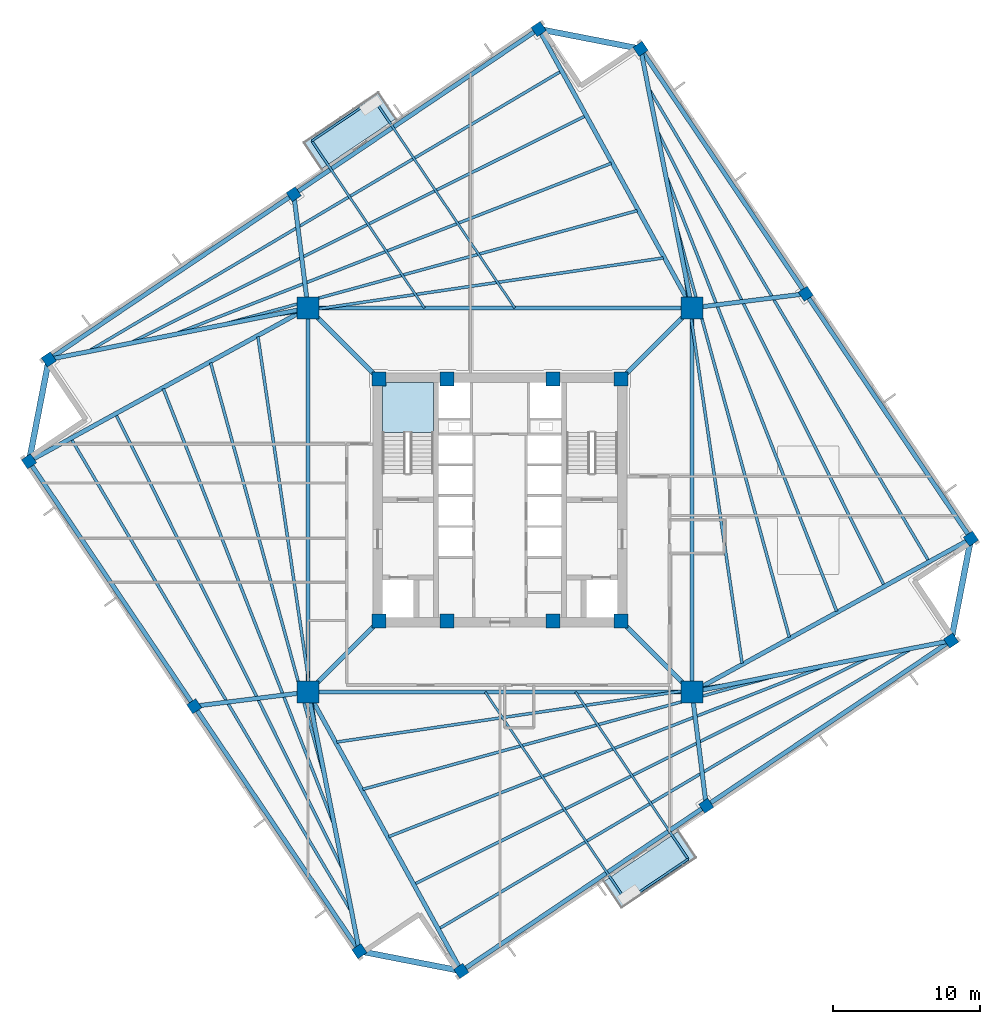
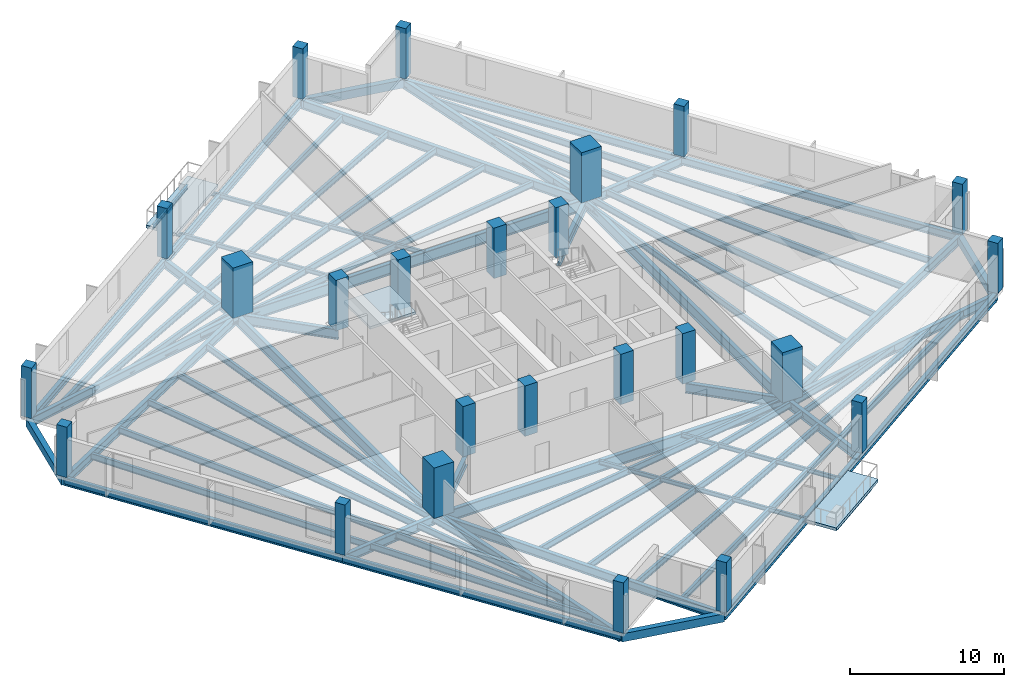
# One storey, part 1 of 8: 58 beams, 24 columns, 3 slabs, 1 element without a shape of its own.
"""IFC4 building model written with IfcOpenShell, lengths in metres."""

from ifc_helpers import new_model, si_unit, direction, frame, origin, origin_2d, place, context, subcontext, project, spatial, polyline, rectangle, i_section, outline, extrude, source, transform, mapped, material, layer, layer_set, material_profile, profile_set, type_object, element, aggregate, save


model = new_model("IFC4")

# Units and contexts
model_context = context("Model", 3, precision=1e-05, world=origin(), true_north=direction((0.0, 1.0)))
body_context = subcontext(model_context, "Body", "Model", "MODEL_VIEW")
ifc_project = project(units=[si_unit("LENGTHUNIT", "METRE"), si_unit("AREAUNIT", "SQUARE_METRE"), si_unit("VOLUMEUNIT", "CUBIC_METRE"), si_unit("PLANEANGLEUNIT", "RADIAN"), si_unit("MASSUNIT", "GRAM", prefix="KILO"), si_unit("THERMODYNAMICTEMPERATUREUNIT", "KELVIN")], contexts=[model_context])

# Site, building, storey
site_placement = place(None, origin())
site = spatial("IfcSite", under=ifc_project, at=site_placement, CompositionType="ELEMENT")
building_placement = place(site_placement, origin())
building = spatial("IfcBuilding", under=site, at=building_placement, Name="Kosmvard Interchange Tower", CompositionType="ELEMENT")
storey_placement = place(building_placement, frame((0.0, 0.0, 188.39990234375)))
storey = spatial("IfcBuildingStorey", under=building, at=storey_placement, Name="L45", CompositionType="ELEMENT", Elevation=188.39990234375)

# Columns
ifc_material_1 = material(Name="Concrete C60/75", Category="concrete")
ifc_material_profile_1 = material_profile(ifc_material_1, rectangle(XDim=0.949951171875, YDim=0.949951171875, at=origin_2d()), Name="CP 950x950")
ifc_profile_set_1 = profile_set([ifc_material_profile_1], Name="Concrete C60/75")
column_type_1 = type_object("IfcColumnType", Name="Core Boundary Pilaster 950x950 C60/75", PredefinedType="PILASTER", material=ifc_profile_set_1)
shared_shape_1 = source(origin(), body_context, "Body", "SweptSolid", [
    extrude(rectangle(XDim=0.949951171875, YDim=0.949951171875, at=origin_2d()), origin(), (0.0, 0.0, 1.0), 4.0),
])
for number, where, z_axis, x_axis, name in (
    (1, (-8.25, -8.25, 0.0), (0.0, 0.0, 1.0), (1.0, 0.0, 0.0), "L45 Core Pilaster CP1"),
    (2, (8.25, -8.25, 0.0), (0.0, 0.0, 1.0), (1.0, 0.0, 0.0), "L45 Core Pilaster CP2"),
    (3, (8.25, 8.25, 0.0), (0.0, 0.0, 1.0), (1.0, 0.0, 0.0), "L45 Core Pilaster CP3"),
    (4, (-8.25, 8.25, 0.0), (0.0, 0.0, 1.0), (1.0, 0.0, 0.0), "L45 Core Pilaster CP4"),
    (5, (-3.60009765625, -8.25, 0.0), (0.0, 0.0, 1.0), (1.0, 0.0, 0.0), "L45 Core Pilaster CP5"),
    (6, (3.60009765625, -8.25, 0.0), (0.0, 0.0, 1.0), (1.0, 0.0, 0.0), "L45 Core Pilaster CP6"),
    (7, (-3.60009765625, 8.25, 0.0), (0.0, 0.0, 1.0), (1.0, 0.0, 0.0), "L45 Core Pilaster CP7"),
    (8, (3.60009765625, 8.25, 0.0), (0.0, 0.0, 1.0), (1.0, 0.0, 0.0), "L45 Core Pilaster CP8"),
):
    element("IfcColumn", number, at=place(storey_placement, frame(where, z_axis=z_axis, x_axis=x_axis)), inside=storey, type_object=column_type_1, Name=name, PredefinedType="PILASTER", context=body_context, shape_type="MappedRepresentation", body=[
        mapped(shared_shape_1, transform((0.0, 0.0, 0.0), scale=1.0)),
    ])
ifc_material_profile_2 = material_profile(ifc_material_1, rectangle(XDim=1.5, YDim=1.5, at=origin_2d()), Name="MC 1500x1500")
ifc_profile_set_2 = profile_set([ifc_material_profile_2], Name="Concrete C60/75")
column_type_2 = type_object("IfcColumnType", Name="Composite Mega-Column 1500x1500 C60/75", PredefinedType="COLUMN", material=ifc_profile_set_2)
shared_shape_2 = source(origin(), body_context, "Body", "SweptSolid", [
    extrude(rectangle(XDim=1.5, YDim=1.5, at=origin_2d()), origin(), (0.0, 0.0, 1.0), 4.0),
])
for number, where, z_axis, x_axis, name in (
    (9, (-13.0810546875, -13.0810546875, 0.0), (0.0, 0.0, 1.0), (1.0, 0.0, 0.0), "L45 Corner Mega-Column MC1"),
    (10, (13.0810546875, -13.0810546875, 0.0), (0.0, 0.0, 1.0), (1.0, 0.0, 0.0), "L45 Corner Mega-Column MC2"),
    (11, (13.0810546875, 13.0810546875, 0.0), (0.0, 0.0, 1.0), (1.0, 0.0, 0.0), "L45 Corner Mega-Column MC3"),
    (12, (-13.0810546875, 13.0810546875, 0.0), (0.0, 0.0, 1.0), (1.0, 0.0, 0.0), "L45 Corner Mega-Column MC4"),
):
    element("IfcColumn", number, at=place(storey_placement, frame(where, z_axis=z_axis, x_axis=x_axis)), inside=storey, type_object=column_type_2, Name=name, PredefinedType="COLUMN", context=body_context, shape_type="MappedRepresentation", body=[
        mapped(shared_shape_2, transform((0.0, 0.0, 0.0), scale=1.0)),
    ])
ifc_material_2 = material(Name="Concrete C50/60", Category="concrete")
ifc_material_profile_3 = material_profile(ifc_material_2, rectangle(XDim=0.75, YDim=0.75, at=origin_2d()), Name="TC 750x750")
ifc_profile_set_3 = profile_set([ifc_material_profile_3], Name="Concrete C50/60")
column_type_3 = type_object("IfcColumnType", Name="Zone 3 Perimeter Pier Column 750x750 C50/60", PredefinedType="COLUMN", material=ifc_profile_set_3)
shared_shape_3 = source(origin(), body_context, "Body", "SweptSolid", [
    extrude(rectangle(XDim=0.75, YDim=0.75, at=origin_2d()), origin(), (0.0, 0.0, 1.0), 4.0),
])
for number, where, z_axis, x_axis, name in (
    (13, (-2.634765625, -32.083251953125, 0.0), (0.0, 0.0, 1.0), (0.829037572555, 0.559192903471, 0.0), "L45 Perimeter Pier Column TC-S1"),
    (14, (14.0498046875, -20.82958984375, 0.0), (0.0, 0.0, 1.0), (0.829037572555, 0.559192903471, 0.0), "L45 Perimeter Pier Column TC-S2"),
    (15, (30.734130859375, -9.575927734375, 0.0), (0.0, 0.0, 1.0), (0.829037572555, 0.559192903471, 0.0), "L45 Perimeter Pier Column TC-S3"),
    (16, (32.083251953125, -2.634765625, 0.0), (0.0, 0.0, 1.0), (0.829037572555, 0.559192903471, 0.0), "L45 Perimeter Pier Column TC-E1"),
    (17, (20.82958984375, 14.0498046875, 0.0), (0.0, 0.0, 1.0), (0.829037572555, 0.559192903471, 0.0), "L45 Perimeter Pier Column TC-E2"),
    (18, (9.575927734375, 30.734130859375, 0.0), (0.0, 0.0, 1.0), (0.829037572555, 0.559192903471, 0.0), "L45 Perimeter Pier Column TC-E3"),
    (19, (2.634765625, 32.083251953125, 0.0), (0.0, 0.0, 1.0), (0.829037572555, 0.559192903471, 0.0), "L45 Perimeter Pier Column TC-N1"),
    (20, (-14.0498046875, 20.82958984375, 0.0), (0.0, 0.0, 1.0), (0.829037572555, 0.559192903471, 0.0), "L45 Perimeter Pier Column TC-N2"),
    (21, (-30.734130859375, 9.575927734375, 0.0), (0.0, 0.0, 1.0), (0.829037572555, 0.559192903471, 0.0), "L45 Perimeter Pier Column TC-N3"),
    (22, (-32.083251953125, 2.634765625, 0.0), (0.0, 0.0, 1.0), (0.829037572555, 0.559192903471, 0.0), "L45 Perimeter Pier Column TC-W1"),
    (23, (-20.82958984375, -14.0498046875, 0.0), (0.0, 0.0, 1.0), (0.829037572555, 0.559192903471, 0.0), "L45 Perimeter Pier Column TC-W2"),
    (24, (-9.575927734375, -30.734130859375, 0.0), (0.0, 0.0, 1.0), (0.829037572555, 0.559192903471, 0.0), "L45 Perimeter Pier Column TC-W3"),
):
    element("IfcColumn", number, at=place(storey_placement, frame(where, z_axis=z_axis, x_axis=x_axis)), inside=storey, type_object=column_type_3, Name=name, PredefinedType="COLUMN", context=body_context, shape_type="MappedRepresentation", body=[
        mapped(shared_shape_3, transform((0.0, 0.0, 0.0), scale=1.0)),
    ])

# Beams
ifc_material_3 = material(Name="Steel S355", Category="steel")
ifc_material_profile_4 = material_profile(ifc_material_3, i_section(OverallWidth=0.14990234375, OverallDepth=0.300048828125, WebThickness=0.007080078125, FlangeThickness=0.0107421875, FilletRadius=0.014892578125, at=origin_2d()), Name="IPE 300")
ifc_profile_set_4 = profile_set([ifc_material_profile_4], Name="Steel S355")
beam_type_1 = type_object("IfcBeamType", Name="Balcony Edge Header Joist IPE 300 S355", PredefinedType="JOIST", material=ifc_profile_set_4)
shared_shape_4 = source(origin(), body_context, "Body", "SweptSolid", [
    extrude(i_section(OverallWidth=0.14990234375, OverallDepth=0.300048828125, WebThickness=0.007080078125, FlangeThickness=0.0107421875, FilletRadius=0.014892578125, at=origin_2d()), origin(), (0.0, 0.0, 1.0), 5.099853515625),
])
for number, where, z_axis, x_axis, name in (
    (25, (-8.59326171875, 27.314453125, -0.409912109375), (-0.82904064614, -0.559188346666, 0.0), (0.559188346666, -0.82904064614, 0.0), "BM-L45-BJH1"),
    (26, (8.59326171875, -27.314453125, -0.409912109375), (0.82904064614, 0.559188346666, 0.0), (-0.559188346666, 0.82904064614, 0.0), "BM-L45-BJH2"),
):
    element("IfcBeam", number, at=place(storey_placement, frame(where, z_axis=z_axis, x_axis=x_axis)), inside=storey, type_object=beam_type_1, Name=name, PredefinedType="JOIST", context=body_context, shape_type="MappedRepresentation", body=[
        mapped(shared_shape_4, transform((0.0, 0.0, 0.0), scale=1.0)),
    ])
ifc_material_profile_5 = material_profile(ifc_material_3, i_section(OverallWidth=0.300048828125, OverallDepth=0.800048828125, WebThickness=0.017578125, FlangeThickness=0.032958984375, FilletRadius=0.027099609375, at=origin_2d()), Name="HEB 800")
ifc_profile_set_5 = profile_set([ifc_material_profile_5], Name="Steel S355")
beam_type_2 = type_object("IfcBeamType", Name="Primary Mega-Frame Girder HEB 800 S355", PredefinedType="BEAM", material=ifc_profile_set_5)
shared_shape_5 = source(origin(), body_context, "Body", "SweptSolid", [
    extrude(i_section(OverallWidth=0.300048828125, OverallDepth=0.800048828125, WebThickness=0.017578125, FlangeThickness=0.032958984375, FilletRadius=0.027099609375, at=origin_2d()), origin(), (0.0, 0.0, 1.0), 6.83203125),
])
for number, where, z_axis, x_axis, name in (
    (27, (-8.25, -8.25, -0.659912109375), (-0.707106781187, -0.707106781187, 0.0), (0.707106781187, -0.707106781187, 0.0), "L45 Radial Mega-Frame Girder 1"),
    (28, (8.25, -8.25, -0.659912109375), (0.707106781187, -0.707106781187, 0.0), (0.707106781187, 0.707106781187, 0.0), "L45 Radial Mega-Frame Girder 2"),
    (29, (8.25, 8.25, -0.659912109375), (0.707106781187, 0.707106781187, 0.0), (-0.707106781187, 0.707106781187, 0.0), "L45 Radial Mega-Frame Girder 3"),
    (30, (-8.25, 8.25, -0.659912109375), (-0.707106781187, 0.707106781187, 0.0), (-0.707106781187, -0.707106781187, 0.0), "L45 Radial Mega-Frame Girder 4"),
):
    element("IfcBeam", number, at=place(storey_placement, frame(where, z_axis=z_axis, x_axis=x_axis)), inside=storey, type_object=beam_type_2, Name=name, PredefinedType="BEAM", context=body_context, shape_type="MappedRepresentation", body=[
        mapped(shared_shape_5, transform((0.0, 0.0, 0.0), scale=1.0)),
    ])
ifc_material_profile_6 = material_profile(ifc_material_3, i_section(OverallWidth=0.300048828125, OverallDepth=0.89990234375, WebThickness=0.0185546875, FlangeThickness=0.034912109375, FilletRadius=0.030029296875, at=origin_2d()), Name="HEB 900")
ifc_profile_set_6 = profile_set([ifc_material_profile_6], Name="Steel S355")
beam_type_3 = type_object("IfcBeamType", Name="Mega-Column Ring Girder HEB 900 S355", PredefinedType="BEAM", material=ifc_profile_set_6)
shared_shape_6 = source(origin(), body_context, "Body", "SweptSolid", [
    extrude(i_section(OverallWidth=0.300048828125, OverallDepth=0.89990234375, WebThickness=0.0185546875, FlangeThickness=0.034912109375, FilletRadius=0.030029296875, at=origin_2d()), origin(), (0.0, 0.0, 1.0), 26.162109375),
])
for number, where, z_axis, x_axis, name in (
    (31, (-13.0810546875, -13.0810546875, -0.7099609375), (1.0, 0.0, 0.0), (0.0, 1.0, 0.0), "L45 Mega-Column Ring Girder 1"),
    (32, (13.0810546875, -13.0810546875, -0.7099609375), (0.0, 1.0, 0.0), (-1.0, 0.0, 0.0), "L45 Mega-Column Ring Girder 2"),
    (33, (13.0810546875, 13.0810546875, -0.7099609375), (-1.0, 0.0, 0.0), (0.0, -1.0, 0.0), "L45 Mega-Column Ring Girder 3"),
    (34, (-13.0810546875, 13.0810546875, -0.7099609375), (0.0, -1.0, 0.0), (1.0, 0.0, 0.0), "L45 Mega-Column Ring Girder 4"),
):
    element("IfcBeam", number, at=place(storey_placement, frame(where, z_axis=z_axis, x_axis=x_axis)), inside=storey, type_object=beam_type_3, Name=name, PredefinedType="BEAM", context=body_context, shape_type="MappedRepresentation", body=[
        mapped(shared_shape_6, transform((0.0, 0.0, 0.0), scale=1.0)),
    ])
ifc_material_profile_7 = material_profile(ifc_material_3, i_section(OverallWidth=0.300048828125, OverallDepth=0.60009765625, WebThickness=0.015380859375, FlangeThickness=0.030029296875, FilletRadius=0.027099609375, at=origin_2d()), Name="HEB 600")
ifc_profile_set_7 = profile_set([ifc_material_profile_7], Name="Steel S355")
beam_type_4 = type_object("IfcBeamType", Name="Perimeter Tie Girder HEB 600 S355", PredefinedType="BEAM", material=ifc_profile_set_7)
shared_shape_7 = source(origin(), body_context, "Body", "SweptSolid", [
    extrude(i_section(OverallWidth=0.300048828125, OverallDepth=0.60009765625, WebThickness=0.015380859375, FlangeThickness=0.030029296875, FilletRadius=0.027099609375, at=origin_2d()), origin(), (0.0, 0.0, 1.0), 20.125),
])
for number, where, z_axis, x_axis, name in (
    (35, (-2.634765625, -32.083251953125, -0.559814453125), (0.82904270175, 0.559185299051, 0.0), (-0.559185299051, 0.82904270175, 0.0), "BM-L45-PR01"),
    (36, (14.0498046875, -20.82958984375, -0.559814453125), (0.829038908426, 0.559190922956, 0.0), (-0.559190922956, 0.829038908426, 0.0), "BM-L45-PR02"),
    (37, (32.083251953125, -2.634765625, -0.559814453125), (-0.559185299051, 0.82904270175, 0.0), (-0.82904270175, -0.559185299051, 0.0), "BM-L45-PR04"),
    (38, (20.82958984375, 14.0498046875, -0.559814453125), (-0.559190922956, 0.829038908426, 0.0), (-0.829038908426, -0.559190922956, 0.0), "BM-L45-PR05"),
    (39, (2.634765625, 32.083251953125, -0.559814453125), (-0.82904270175, -0.559185299051, 0.0), (0.559185299051, -0.82904270175, 0.0), "BM-L45-PR07"),
    (40, (-14.0498046875, 20.82958984375, -0.559814453125), (-0.829038908426, -0.559190922956, 0.0), (0.559190922956, -0.829038908426, 0.0), "BM-L45-PR08"),
    (41, (-32.083251953125, 2.634765625, -0.559814453125), (0.559185299051, -0.82904270175, 0.0), (0.82904270175, 0.559185299051, 0.0), "BM-L45-PR10"),
    (42, (-20.82958984375, -14.0498046875, -0.559814453125), (0.559190922956, -0.829038908426, 0.0), (0.829038908426, 0.559190922956, 0.0), "BM-L45-PR11"),
):
    element("IfcBeam", number, at=place(storey_placement, frame(where, z_axis=z_axis, x_axis=x_axis)), inside=storey, type_object=beam_type_4, Name=name, PredefinedType="BEAM", context=body_context, shape_type="MappedRepresentation", body=[
        mapped(shared_shape_7, transform((0.0, 0.0, 0.0), scale=1.0)),
    ])
ifc_material_profile_8 = material_profile(ifc_material_3, i_section(OverallWidth=0.300048828125, OverallDepth=0.699951171875, WebThickness=0.01708984375, FlangeThickness=0.031982421875, FilletRadius=0.027099609375, at=origin_2d()), Name="HEB 700")
ifc_profile_set_8 = profile_set([ifc_material_profile_8], Name="Steel S355")
beam_type_5 = type_object("IfcBeamType", Name="Primary Floor Girder HEB 700 S355", PredefinedType="BEAM", material=ifc_profile_set_8)
shared_shape_8 = source(origin(), body_context, "Body", "SweptSolid", [
    extrude(i_section(OverallWidth=0.300048828125, OverallDepth=0.699951171875, WebThickness=0.01708984375, FlangeThickness=0.031982421875, FilletRadius=0.027099609375, at=origin_2d()), origin(), (0.0, 0.0, 1.0), 21.684326171875),
])
for number, where, z_axis, x_axis, name in (
    (43, (-13.0810546875, -13.0810546875, -0.60986328125), (0.48174456271, -0.876311689012, 0.0), (0.876311689012, 0.48174456271, 0.0), "BM-L45-RD01"),
    (44, (13.0810546875, -13.0810546875, -0.60986328125), (0.876311689012, 0.48174456271, 0.0), (-0.48174456271, 0.876311689012, 0.0), "BM-L45-RD04"),
    (45, (13.0810546875, 13.0810546875, -0.60986328125), (-0.48174456271, 0.876311689012, 0.0), (-0.876311689012, -0.48174456271, 0.0), "BM-L45-RD07"),
    (46, (-13.0810546875, 13.0810546875, -0.60986328125), (-0.876311689012, -0.48174456271, 0.0), (0.48174456271, -0.876311689012, 0.0), "BM-L45-RD10"),
):
    element("IfcBeam", number, at=place(storey_placement, frame(where, z_axis=z_axis, x_axis=x_axis)), inside=storey, type_object=beam_type_5, Name=name, PredefinedType="BEAM", context=body_context, shape_type="MappedRepresentation", body=[
        mapped(shared_shape_8, transform((0.0, 0.0, 0.0), scale=1.0)),
    ])
shared_shape_9 = source(origin(), body_context, "Body", "SweptSolid", [
    extrude(i_section(OverallWidth=0.300048828125, OverallDepth=0.699951171875, WebThickness=0.01708984375, FlangeThickness=0.031982421875, FilletRadius=0.027099609375, at=origin_2d()), origin(), (0.0, 0.0, 1.0), 7.808837890625),
])
for number, where, z_axis, x_axis, name in (
    (47, (13.0810546875, -13.0810546875, -0.60986328125), (0.12405782224, -0.992274990485, 0.0), (0.992274990485, 0.12405782224, 0.0), "BM-L45-RD02"),
    (48, (13.0810546875, 13.0810546875, -0.60986328125), (0.992274990485, 0.12405782224, 0.0), (-0.12405782224, 0.992274990485, 0.0), "BM-L45-RD05"),
    (49, (-13.0810546875, 13.0810546875, -0.60986328125), (-0.12405782224, 0.992274990485, 0.0), (-0.992274990485, -0.12405782224, 0.0), "BM-L45-RD08"),
    (50, (-13.0810546875, -13.0810546875, -0.60986328125), (-0.992274990485, -0.12405782224, 0.0), (0.12405782224, -0.992274990485, 0.0), "BM-L45-RD11"),
):
    element("IfcBeam", number, at=place(storey_placement, frame(where, z_axis=z_axis, x_axis=x_axis)), inside=storey, type_object=beam_type_5, Name=name, PredefinedType="BEAM", context=body_context, shape_type="MappedRepresentation", body=[
        mapped(shared_shape_9, transform((0.0, 0.0, 0.0), scale=1.0)),
    ])
ifc_material_4 = material(Name="Precast concrete C45/55", Category="concrete")
ifc_material_profile_9 = material_profile(ifc_material_4, rectangle(XDim=0.39990234375, YDim=0.64990234375, at=origin_2d()), Name="SL 400x650")
ifc_profile_set_9 = profile_set([ifc_material_profile_9], Name="Precast concrete C45/55")
beam_type_6 = type_object("IfcBeamType", Name="Precast Spandrel Lintel 400x650 C45/55", PredefinedType="LINTEL", material=ifc_profile_set_9)
shared_shape_10 = source(origin(), body_context, "Body", "SweptSolid", [
    extrude(rectangle(XDim=0.39990234375, YDim=0.64990234375, at=origin_2d()), origin(), (0.0, 0.0, 1.0), 7.071044921875),
])
for number, where, z_axis, x_axis, name in (
    (51, (30.734130859375, -9.575927734375, -0.5849609375), (0.190794803533, 0.981629941956, 0.0), (-0.981629941956, 0.190794803533, 0.0), "BM-L45-SL1"),
    (52, (9.575927734375, 30.734130859375, -0.5849609375), (-0.981629941956, 0.190794803533, 0.0), (-0.190794803533, -0.981629941956, 0.0), "BM-L45-SL2"),
    (53, (-30.734130859375, 9.575927734375, -0.5849609375), (-0.190794803533, -0.981629941956, 0.0), (0.981629941956, -0.190794803533, 0.0), "BM-L45-SL3"),
    (54, (-9.575927734375, -30.734130859375, -0.5849609375), (0.981629941956, -0.190794803533, 0.0), (0.190794803533, 0.981629941956, 0.0), "BM-L45-SL4"),
):
    element("IfcBeam", number, at=place(storey_placement, frame(where, z_axis=z_axis, x_axis=x_axis)), inside=storey, type_object=beam_type_6, Name=name, PredefinedType="LINTEL", context=body_context, shape_type="MappedRepresentation", body=[
        mapped(shared_shape_10, transform((0.0, 0.0, 0.0), scale=1.0)),
    ])
shared_shape_11 = source(origin(), body_context, "Body", "SweptSolid", [
    extrude(i_section(OverallWidth=0.300048828125, OverallDepth=0.699951171875, WebThickness=0.01708984375, FlangeThickness=0.031982421875, FilletRadius=0.027099609375, at=origin_2d()), origin(), (0.0, 0.0, 1.0), 17.997802734375),
])
for number, where, z_axis, x_axis, name in (
    (55, (13.0810546875, -13.0810546875, -0.60986328125), (0.980852075755, 0.194754218148, 0.0), (-0.194754218148, 0.980852075755, 0.0), "BM-L45-RD03"),
    (56, (13.0810546875, 13.0810546875, -0.60986328125), (-0.194754218148, 0.980852075755, 0.0), (-0.980852075755, -0.194754218148, 0.0), "BM-L45-RD06"),
    (57, (-13.0810546875, 13.0810546875, -0.60986328125), (-0.980852075755, -0.194754218148, 0.0), (0.194754218148, -0.980852075755, 0.0), "BM-L45-RD09"),
    (58, (-13.0810546875, -13.0810546875, -0.60986328125), (0.194754218148, -0.980852075755, 0.0), (0.980852075755, 0.194754218148, 0.0), "BM-L45-RD12"),
):
    element("IfcBeam", number, at=place(storey_placement, frame(where, z_axis=z_axis, x_axis=x_axis)), inside=storey, type_object=beam_type_5, Name=name, PredefinedType="BEAM", context=body_context, shape_type="MappedRepresentation", body=[
        mapped(shared_shape_11, transform((0.0, 0.0, 0.0), scale=1.0)),
    ])
ifc_material_profile_10 = material_profile(ifc_material_3, i_section(OverallWidth=0.199951171875, OverallDepth=0.5, WebThickness=0.01025390625, FlangeThickness=0.01611328125, FilletRadius=0.02099609375, at=origin_2d()), Name="IPE 500")
ifc_profile_set_10 = profile_set([ifc_material_profile_10], Name="Steel S355")
beam_type_7 = type_object("IfcBeamType", Name="Standard Floor Joist IPE 500 S355", PredefinedType="JOIST", material=ifc_profile_set_10)
shared_shape_12 = source(origin(), body_context, "Body", "SweptSolid", [
    extrude(i_section(OverallWidth=0.199951171875, OverallDepth=0.5, WebThickness=0.01025390625, FlangeThickness=0.01611328125, FilletRadius=0.02099609375, at=origin_2d()), origin(), (0.0, 0.0, 1.0), 27.5966796875),
])
for number, where, z_axis, x_axis, name in (
    (59, (-11.12158203125, -16.48974609375, -0.510009765625), (0.989290070387, 0.145962860463, 0.0), (-0.145962860463, 0.989290070387, 0.0), "BM-L45-FJ01"),
    (60, (16.48974609375, -11.12158203125, -0.510009765625), (-0.145962860463, 0.989290070387, 0.0), (-0.989290070387, -0.145962860463, 0.0), "BM-L45-FJ06"),
    (61, (11.12158203125, 16.48974609375, -0.510009765625), (-0.989290070387, -0.145962860463, 0.0), (0.145962860463, -0.989290070387, 0.0), "BM-L45-FJ11"),
    (62, (-16.48974609375, 11.12158203125, -0.510009765625), (0.145962860463, -0.989290070387, 0.0), (0.989290070387, 0.145962860463, 0.0), "BM-L45-FJ16"),
):
    element("IfcBeam", number, at=place(storey_placement, frame(where, z_axis=z_axis, x_axis=x_axis)), inside=storey, type_object=beam_type_7, Name=name, PredefinedType="JOIST", context=body_context, shape_type="MappedRepresentation", body=[
        mapped(shared_shape_12, transform((0.0, 0.0, 0.0), scale=1.0)),
    ])
shared_shape_13 = source(origin(), body_context, "Body", "SweptSolid", [
    extrude(i_section(OverallWidth=0.199951171875, OverallDepth=0.5, WebThickness=0.01025390625, FlangeThickness=0.01611328125, FilletRadius=0.02099609375, at=origin_2d()), origin(), (0.0, 0.0, 1.0), 29.58642578125),
])
for number, where, z_axis, x_axis, name in (
    (63, (-9.34765625, -19.710693359375, -0.510009765625), (0.964296527467, 0.264824861209, 0.0), (-0.264824861209, 0.964296527467, 0.0), "BM-L45-FJ02"),
    (64, (19.710693359375, -9.34765625, -0.510009765625), (-0.264824861209, 0.964296527467, 0.0), (-0.964296527467, -0.264824861209, 0.0), "BM-L45-FJ07"),
    (65, (9.34765625, 19.710693359375, -0.510009765625), (-0.964296527467, -0.264824861209, 0.0), (0.264824861209, -0.964296527467, 0.0), "BM-L45-FJ12"),
    (66, (-19.710693359375, 9.34765625, -0.510009765625), (0.264824861209, -0.964296527467, 0.0), (0.964296527467, 0.264824861209, 0.0), "BM-L45-FJ17"),
):
    element("IfcBeam", number, at=place(storey_placement, frame(where, z_axis=z_axis, x_axis=x_axis)), inside=storey, type_object=beam_type_7, Name=name, PredefinedType="JOIST", context=body_context, shape_type="MappedRepresentation", body=[
        mapped(shared_shape_13, transform((0.0, 0.0, 0.0), scale=1.0)),
    ])
shared_shape_14 = source(origin(), body_context, "Body", "SweptSolid", [
    extrude(i_section(OverallWidth=0.199951171875, OverallDepth=0.5, WebThickness=0.01025390625, FlangeThickness=0.01611328125, FilletRadius=0.02099609375, at=origin_2d()), origin(), (0.0, 0.0, 1.0), 31.9580078125),
])
for number, where, z_axis, x_axis, name in (
    (67, (-7.574462890625, -22.93310546875, -0.510009765625), (0.931239172846, 0.364408565976, 0.0), (-0.364408565976, 0.931239172846, 0.0), "BM-L45-FJ03"),
    (68, (22.93310546875, -7.574462890625, -0.510009765625), (-0.364408565976, 0.931239172846, 0.0), (-0.931239172846, -0.364408565976, 0.0), "BM-L45-FJ08"),
    (69, (7.574462890625, 22.93310546875, -0.510009765625), (-0.931239172846, -0.364408565976, 0.0), (0.364408565976, -0.931239172846, 0.0), "BM-L45-FJ13"),
    (70, (-22.93310546875, 7.574462890625, -0.510009765625), (0.364408565976, -0.931239172846, 0.0), (0.931239172846, 0.364408565976, 0.0), "BM-L45-FJ18"),
):
    element("IfcBeam", number, at=place(storey_placement, frame(where, z_axis=z_axis, x_axis=x_axis)), inside=storey, type_object=beam_type_7, Name=name, PredefinedType="JOIST", context=body_context, shape_type="MappedRepresentation", body=[
        mapped(shared_shape_14, transform((0.0, 0.0, 0.0), scale=1.0)),
    ])
shared_shape_15 = source(origin(), body_context, "Body", "SweptSolid", [
    extrude(i_section(OverallWidth=0.199951171875, OverallDepth=0.5, WebThickness=0.01025390625, FlangeThickness=0.01611328125, FilletRadius=0.02099609375, at=origin_2d()), origin(), (0.0, 0.0, 1.0), 34.633056640625),
])
for number, where, z_axis, x_axis, name in (
    (71, (-5.801513671875, -26.156982421875, -0.510009765625), (0.894853974707, 0.446359007921, 0.0), (-0.446359007921, 0.894853974707, 0.0), "BM-L45-FJ04"),
    (72, (26.156982421875, -5.801513671875, -0.510009765625), (-0.446359007921, 0.894853974707, 0.0), (-0.894853974707, -0.446359007921, 0.0), "BM-L45-FJ09"),
    (73, (5.801513671875, 26.156982421875, -0.510009765625), (-0.894853974707, -0.446359007921, 0.0), (0.446359007921, -0.894853974707, 0.0), "BM-L45-FJ14"),
    (74, (-26.156982421875, 5.801513671875, -0.510009765625), (0.446359007921, -0.894853974707, 0.0), (0.894853974707, 0.446359007921, 0.0), "BM-L45-FJ19"),
):
    element("IfcBeam", number, at=place(storey_placement, frame(where, z_axis=z_axis, x_axis=x_axis)), inside=storey, type_object=beam_type_7, Name=name, PredefinedType="JOIST", context=body_context, shape_type="MappedRepresentation", body=[
        mapped(shared_shape_15, transform((0.0, 0.0, 0.0), scale=1.0)),
    ])
shared_shape_16 = source(origin(), body_context, "Body", "SweptSolid", [
    extrude(i_section(OverallWidth=0.199951171875, OverallDepth=0.5, WebThickness=0.01025390625, FlangeThickness=0.01611328125, FilletRadius=0.02099609375, at=origin_2d()), origin(), (0.0, 0.0, 1.0), 37.3701171875),
])
for number, where, z_axis, x_axis, name in (
    (75, (-4.1328125, -29.192138671875, -0.510009765625), (0.860316577026, 0.509760127212, 0.0), (-0.509760127212, 0.860316577026, 0.0), "BM-L45-FJ05"),
    (76, (29.192138671875, -4.1328125, -0.510009765625), (-0.509760127212, 0.860316577026, 0.0), (-0.860316577026, -0.509760127212, 0.0), "BM-L45-FJ10"),
    (77, (4.1328125, 29.192138671875, -0.510009765625), (-0.860316577026, -0.509760127212, 0.0), (0.509760127212, -0.860316577026, 0.0), "BM-L45-FJ15"),
    (78, (-29.192138671875, 4.1328125, -0.510009765625), (0.509760127212, -0.860316577026, 0.0), (0.860316577026, 0.509760127212, 0.0), "BM-L45-FJ20"),
):
    element("IfcBeam", number, at=place(storey_placement, frame(where, z_axis=z_axis, x_axis=x_axis)), inside=storey, type_object=beam_type_7, Name=name, PredefinedType="JOIST", context=body_context, shape_type="MappedRepresentation", body=[
        mapped(shared_shape_16, transform((0.0, 0.0, 0.0), scale=1.0)),
    ])
ifc_material_profile_11 = material_profile(ifc_material_3, i_section(OverallWidth=0.159912109375, OverallDepth=0.330078125, WebThickness=0.007568359375, FlangeThickness=0.011474609375, FilletRadius=0.01806640625, at=origin_2d()), Name="IPE 330")
ifc_profile_set_11 = profile_set([ifc_material_profile_11], Name="Steel S355")
beam_type_8 = type_object("IfcBeamType", Name="Balcony Cantilever Joist IPE 330 S355", PredefinedType="JOIST", material=ifc_profile_set_11)
shared_shape_17 = source(origin(), body_context, "Body", "SweptSolid", [
    extrude(i_section(OverallWidth=0.159912109375, OverallDepth=0.330078125, WebThickness=0.007568359375, FlangeThickness=0.011474609375, FilletRadius=0.01806640625, at=origin_2d()), origin(), (0.0, 0.0, 1.0), 17.168701171875),
])
for number, where, z_axis, x_axis, name in (
    (79, (1.00732421875, 13.0810546875, -0.4248046875), (-0.559194403402, 0.829036560837, 0.0), (-0.829036560837, -0.559194403402, 0.0), "BM-L45-BJ1"),
    (80, (-1.00732421875, -13.0810546875, -0.4248046875), (0.559194403402, -0.829036560837, 0.0), (0.829036560837, 0.559194403402, 0.0), "BM-L45-BJ2"),
):
    element("IfcBeam", number, at=place(storey_placement, frame(where, z_axis=z_axis, x_axis=x_axis)), inside=storey, type_object=beam_type_8, Name=name, PredefinedType="JOIST", context=body_context, shape_type="MappedRepresentation", body=[
        mapped(shared_shape_17, transform((0.0, 0.0, 0.0), scale=1.0)),
    ])
shared_shape_18 = source(origin(), body_context, "Body", "SweptSolid", [
    extrude(i_section(OverallWidth=0.159912109375, OverallDepth=0.330078125, WebThickness=0.007568359375, FlangeThickness=0.011474609375, FilletRadius=0.01806640625, at=origin_2d()), origin(), (0.0, 0.0, 1.0), 13.728759765625),
])
for number, where, z_axis, x_axis, name in (
    (81, (-5.144287109375, 13.0810546875, -0.4248046875), (-0.559193972367, 0.829036851575, 0.0), (-0.829036851575, -0.559193972367, 0.0), "BM-L45-BJB1"),
    (82, (5.144287109375, -13.0810546875, -0.4248046875), (0.559193972367, -0.829036851575, 0.0), (0.829036851575, 0.559193972367, 0.0), "BM-L45-BJB2"),
):
    element("IfcBeam", number, at=place(storey_placement, frame(where, z_axis=z_axis, x_axis=x_axis)), inside=storey, type_object=beam_type_8, Name=name, PredefinedType="JOIST", context=body_context, shape_type="MappedRepresentation", body=[
        mapped(shared_shape_18, transform((0.0, 0.0, 0.0), scale=1.0)),
    ])

# Stair, slab
stair_type = type_object("IfcStairType", Name="Dog-Leg Core Exit Stair H4000 C50/60", PredefinedType="HALF_TURN_STAIR", material=ifc_material_2)
stair_placement = place(storey_placement, origin())
stair = element("IfcStair", 83, at=stair_placement, inside=storey, type_object=stair_type, Name="L45 Protected Exit Stair ST-1", PredefinedType="HALF_TURN_STAIR")
ifc_layer_1 = layer(ifc_material_2, 0.199951171875, Name="Concrete C50/60")
ifc_layer_set_1 = layer_set([ifc_layer_1], Name="Concrete C50/60")
slab_type_1 = type_object("IfcSlabType", Name="Stair Half-Landing Slab 200 C50/60", PredefinedType="LANDING", material=ifc_layer_set_1)
slab_1_placement = place(storey_placement, frame((0.0, 0.0, 1.800048828125)))
slab_1 = element("IfcSlab", 84, at=slab_1_placement, type_object=slab_type_1, Name="ST-1 landing 1", PredefinedType="LANDING", context=body_context, shape_type="SweptSolid", body=[
    extrude(outline(polyline([(-4.5400390625, 4.60009765625), (-4.5400390625, 8.0), (-8.0, 8.0), (-8.0, 4.60009765625), (-4.5400390625, 4.60009765625)])), origin(), (0.0, 0.0, 1.0), 0.199951171875),
])
aggregate(stair, [slab_1])

# Slabs
ifc_layer_2 = layer(ifc_material_2, 0.22998046875, Name="Concrete C50/60")
ifc_layer_set_2 = layer_set([ifc_layer_2], Name="Concrete C50/60")
slab_type_2 = type_object("IfcSlabType", Name="Tree-Planter Cantilever Balcony Slab 230 C50/60", PredefinedType="FLOOR", material=ifc_layer_set_2)
slab_2_placement = place(storey_placement, frame((0.0, 0.0, -0.22998046875)))
element("IfcSlab", 85, at=slab_2_placement, inside=storey, type_object=slab_type_2, Name="L45 Outdoor Terrace Balcony Slab BAL-L45-N", PredefinedType="FLOOR", context=body_context, shape_type="SweptSolid", body=[
    extrude(outline(polyline([(-12.186767578125, 22.538330078125), (-7.046875, 26.00537109375), (-8.277099609375, 27.829345703125), (-13.4169921875, 24.3623046875), (-12.186767578125, 22.538330078125)])), origin(), (0.0, 0.0, 1.0), 0.22998046875),
])
slab_3_placement = place(storey_placement, frame((0.0, 0.0, -0.22998046875)))
element("IfcSlab", 86, at=slab_3_placement, inside=storey, type_object=slab_type_2, Name="L45 Outdoor Terrace Balcony Slab BAL-L45-S", PredefinedType="FLOOR", context=body_context, shape_type="SweptSolid", body=[
    extrude(outline(polyline([(8.277099609375, -27.829345703125), (13.4169921875, -24.3623046875), (12.186767578125, -22.538330078125), (7.046875, -26.00537109375), (8.277099609375, -27.829345703125)])), origin(), (0.0, 0.0, 1.0), 0.22998046875),
])

save(model, "model.ifc")
